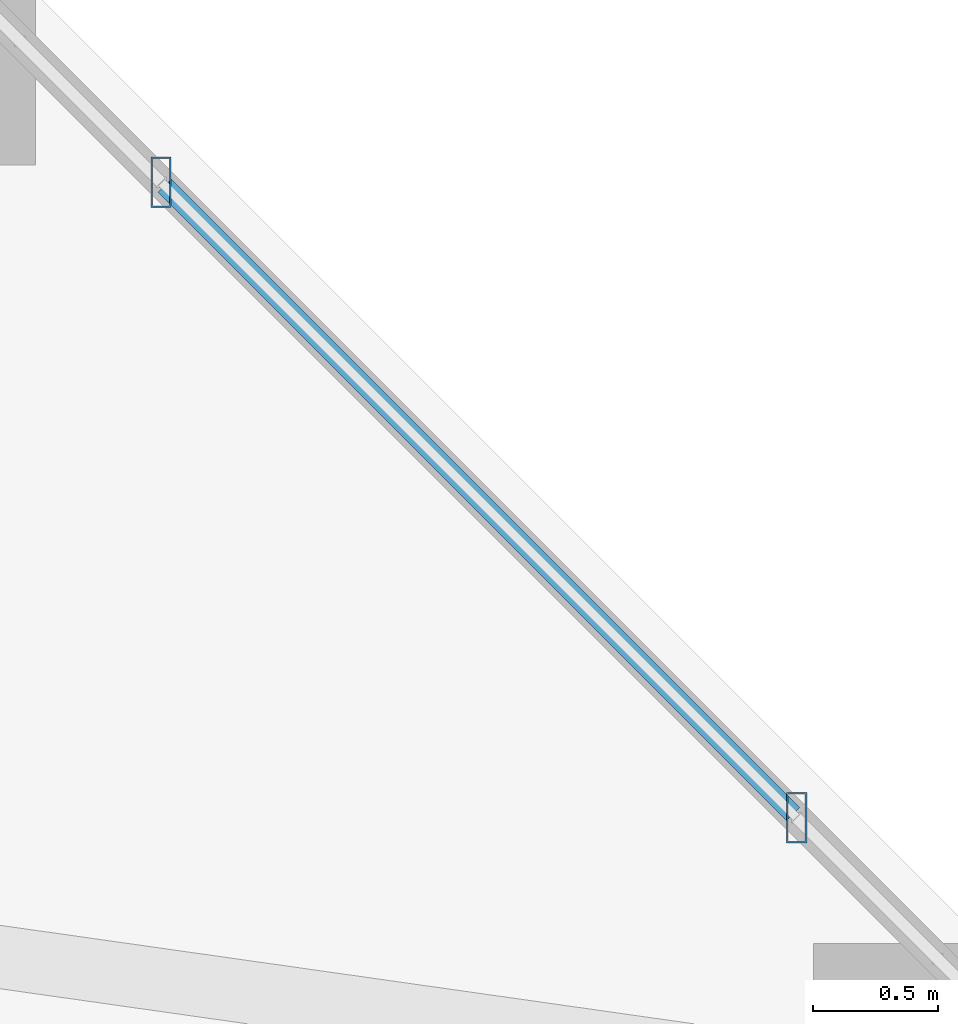
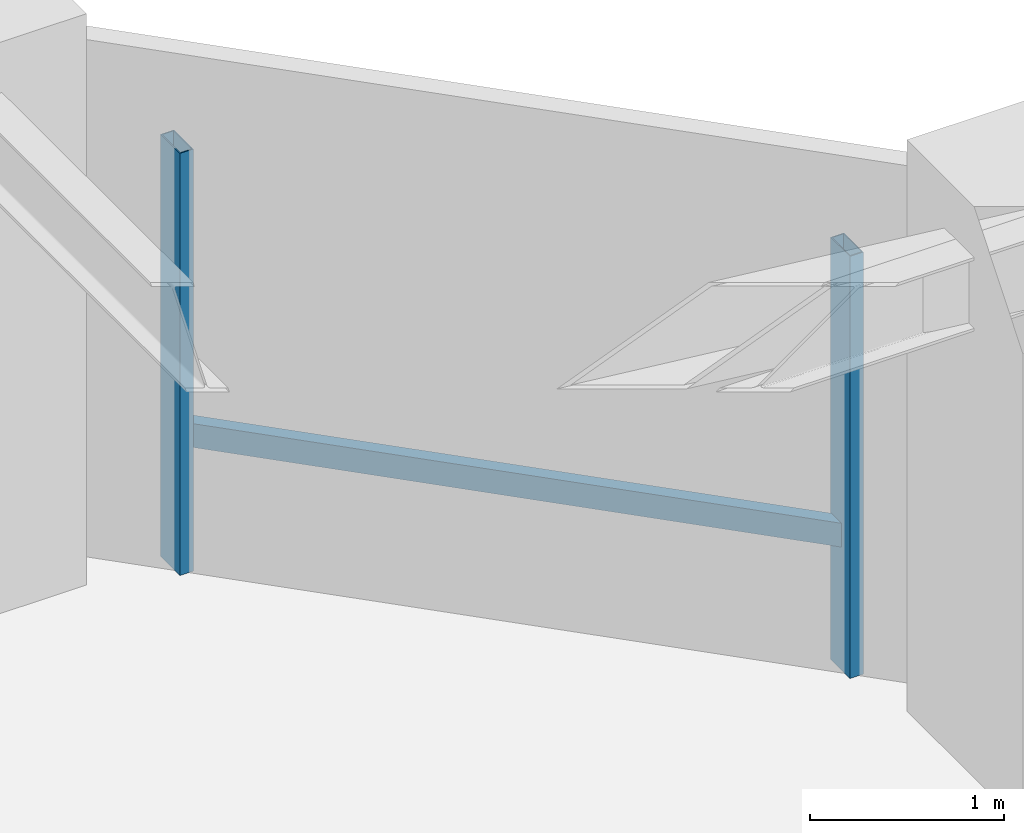
# One storey, part 9 of 34: 3 members, 1 element without a shape of its own.
"""IFC4 building model written with IfcOpenShell, lengths in metres."""

from ifc_helpers import new_model, si_unit, direction, frame, origin, origin_2d, place, context, subcontext, project, spatial, hollow_rectangle, extrude, material, material_profile, profile_set, type_object, element, aggregate, save


model = new_model("IFC4")

# Units and contexts
model_context = context("Model", 3, precision=1e-05, world=origin(), true_north=direction((0.0, 1.0)))
body_context = subcontext(model_context, "Body", "Model", "MODEL_VIEW")
ifc_project = project(units=[si_unit("LENGTHUNIT", "METRE"), si_unit("AREAUNIT", "SQUARE_METRE"), si_unit("VOLUMEUNIT", "CUBIC_METRE"), si_unit("PLANEANGLEUNIT", "RADIAN"), si_unit("MASSUNIT", "GRAM", prefix="KILO")], contexts=[model_context])

# Site, building, storey
site_placement = place(None, origin())
site = spatial("IfcSite", under=ifc_project, at=site_placement, CompositionType="ELEMENT")
building_placement = place(site_placement, origin())
building = spatial("IfcBuilding", under=site, at=building_placement, Name="Thornwick Lancets Civic Towers", CompositionType="ELEMENT")
storey_placement = place(building_placement, frame((0.0, 0.0, 137.699951171875)))
storey = spatial("IfcBuildingStorey", under=building, at=storey_placement, Name="L36", CompositionType="ELEMENT", Elevation=137.699951171875)

# Curtain wall, members
ifc_material_1 = material(Name="Mid-zone chamfered-corner unitised glass curtain wall", Category="glass")
curtain_wall_type = type_object("IfcCurtainWallType", Name="CW_SYS_04", PredefinedType="NOTDEFINED", material=ifc_material_1)
curtain_wall_placement = place(storey_placement, origin())
curtain_wall = element("IfcCurtainWall", 1, at=curtain_wall_placement, inside=storey, type_object=curtain_wall_type, Name="L36 Curtain Wall CW-L36-A-E3", PredefinedType="NOTDEFINED")
ifc_material_2 = material(Name="Thermally broken bronze aluminium S355", Category="steel")
ifc_material_profile_1 = material_profile(ifc_material_2, hollow_rectangle(XDim=0.080078125, YDim=0.199951171875, WallThickness=0.006103515625, at=origin_2d()), Name="RHS 200x80x6")
ifc_profile_set_1 = profile_set([ifc_material_profile_1], Name="Thermally broken bronze aluminium S355")
member_type_1 = type_object("IfcMemberType", Name="CW_MUL_200", PredefinedType="MULLION", material=ifc_profile_set_1)
member_1_placement = place(storey_placement, frame((42.13232421875, 41.10009765625, 0.0), z_axis=(0.0, 0.0, 1.0), x_axis=(1.0, 0.0, 0.0)))
member_1 = element("IfcMember", 2, at=member_1_placement, type_object=member_type_1, Name="CW-L36-A-E3 Mullion 0", PredefinedType="MULLION", context=body_context, shape_type="SweptSolid", body=[
    extrude(hollow_rectangle(XDim=0.080078125, YDim=0.199951171875, WallThickness=0.006103515625, at=origin_2d()), origin(), (0.0, 0.0, 1.0), 2.66015625),
])
member_2_placement = place(storey_placement, frame((39.60009765625, 43.63232421875, 0.0), z_axis=(0.0, 0.0, 1.0), x_axis=(1.0, 0.0, 0.0)))
member_2 = element("IfcMember", 3, at=member_2_placement, type_object=member_type_1, Name="CW-L36-A-E3 Mullion 1", PredefinedType="MULLION", context=body_context, shape_type="SweptSolid", body=[
    extrude(hollow_rectangle(XDim=0.080078125, YDim=0.199951171875, WallThickness=0.006103515625, at=origin_2d()), origin(), (0.0, 0.0, 1.0), 2.66015625),
])
ifc_material_profile_2 = material_profile(ifc_material_2, hollow_rectangle(XDim=0.074951171875, YDim=0.14990234375, WallThickness=0.0048828125, at=origin_2d()), Name="RHS 150x75x5")
ifc_profile_set_2 = profile_set([ifc_material_profile_2], Name="Thermally broken bronze aluminium S355")
member_type_2 = type_object("IfcMemberType", Name="CW_TRN_150", PredefinedType="USERDEFINED", material=ifc_profile_set_2)
member_3_placement = place(storey_placement, frame((42.118408203125, 41.1142578125, 0.85009765625), z_axis=(-0.707106781187, 0.707106781187, 0.0), x_axis=(-0.707106781187, -0.707106781187, 0.0)))
member_3 = element("IfcMember", 4, at=member_3_placement, type_object=member_type_2, Name="CW-L36-A-E3 Transom 0", ObjectType="TRANSOM", PredefinedType="USERDEFINED", context=body_context, shape_type="SweptSolid", body=[
    extrude(hollow_rectangle(XDim=0.074951171875, YDim=0.14990234375, WallThickness=0.0048828125, at=origin_2d()), origin(), (0.0, 0.0, 1.0), 3.54150390625),
])
aggregate(curtain_wall, [member_1, member_2, member_3])

save(model, "model.ifc")
